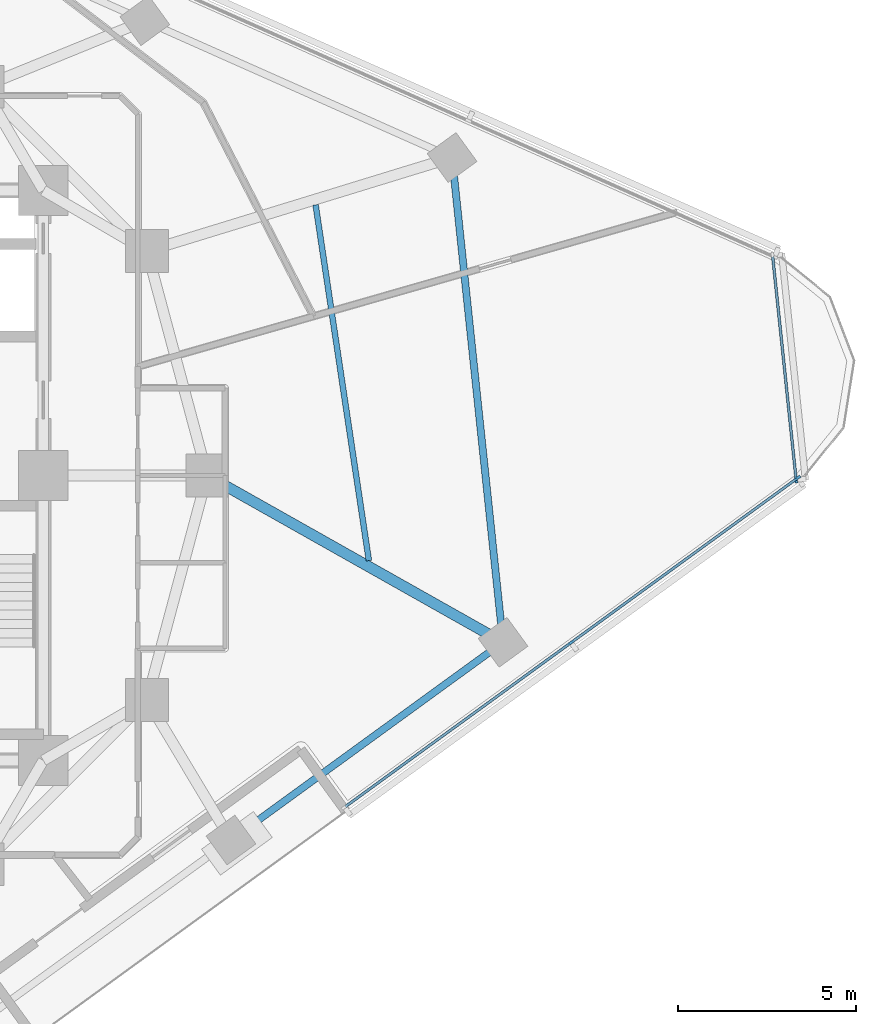
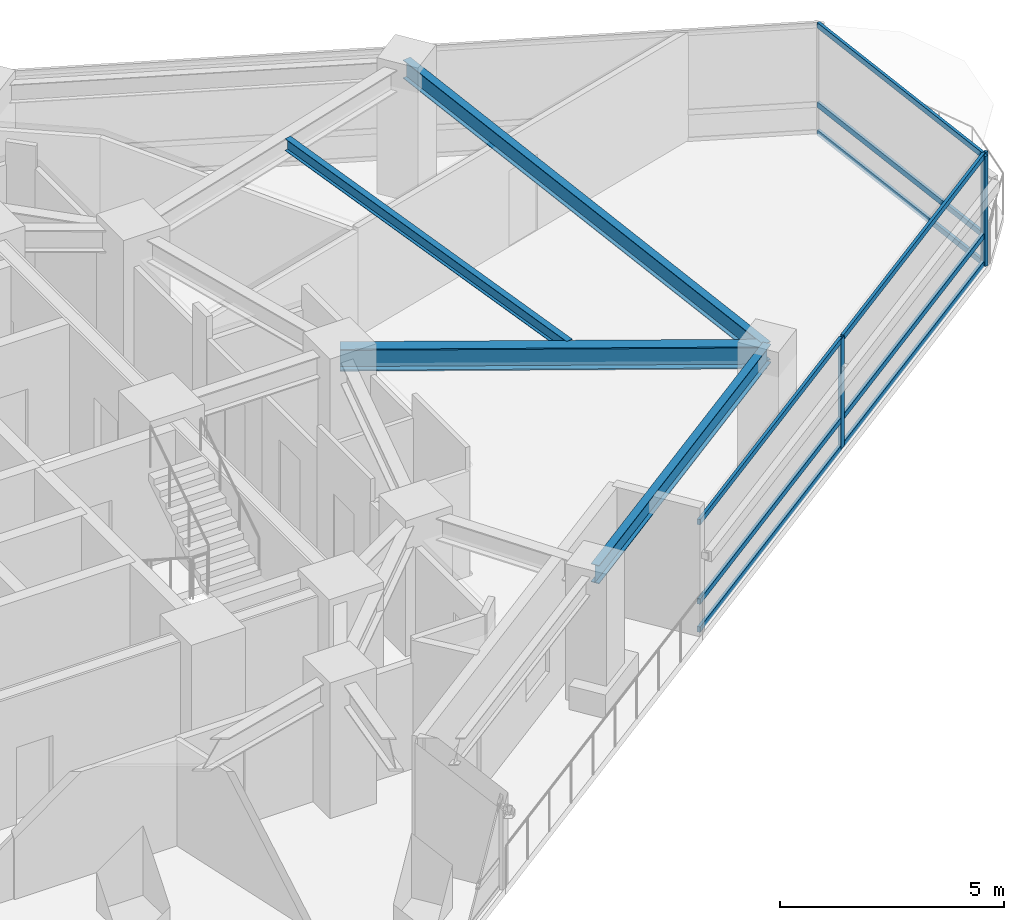
# One storey, part 4 of 14: 12 members, 4 beams, 2 elements without a shape of their own.
"""IFC4 building model written with IfcOpenShell, lengths in metres."""

from ifc_helpers import new_model, si_unit, direction, frame, origin, origin_2d, place, context, subcontext, project, spatial, rectangle, i_section, extrude, material, layer, layer_set, material_profile, profile_set, type_object, element, aggregate, save


model = new_model("IFC4")

# Units and contexts
model_context = context("Model", 3, precision=1e-05, world=origin(), true_north=direction((0.0, 1.0)))
body_context = subcontext(model_context, "Body", "Model", "MODEL_VIEW")
ifc_project = project(units=[si_unit("LENGTHUNIT", "METRE"), si_unit("AREAUNIT", "SQUARE_METRE"), si_unit("VOLUMEUNIT", "CUBIC_METRE"), si_unit("PLANEANGLEUNIT", "RADIAN"), si_unit("MASSUNIT", "GRAM", prefix="KILO")], contexts=[model_context])

# Site, building, storey
site_placement = place(None, origin())
site = spatial("IfcSite", under=ifc_project, at=site_placement, CompositionType="ELEMENT")
building_placement = place(site_placement, origin())
building = spatial("IfcBuilding", under=site, at=building_placement, Name="Terralouvre Media Tower", CompositionType="ELEMENT")
storey_placement = place(building_placement, frame((0.0, 0.0, 158.300048828125)))
storey = spatial("IfcBuildingStorey", under=building, at=storey_placement, Name="L40", CompositionType="ELEMENT", Elevation=158.300048828125)

# Beam
ifc_material_1 = material(Name="Structural steel S355J2", Category="steel")
ifc_material_profile_1 = material_profile(ifc_material_1, i_section(OverallWidth=0.159912109375, OverallDepth=0.330078125, WebThickness=0.007568359375, FlangeThickness=0.011474609375, at=origin_2d()), Name="IPE 330")
ifc_profile_set_1 = profile_set([ifc_material_profile_1], Name="Structural steel S355J2")
beam_type_1 = type_object("IfcBeamType", Name="Composite Floor Joist J-IPE330 (IPE 330)", PredefinedType="JOIST", material=ifc_profile_set_1)
beam_1_placement = place(storey_placement, frame((17.1396484375, -2.38916015625, 3.3349609375), z_axis=(-0.148174915539, 0.988961169311, 0.0), x_axis=(-0.988961169311, -0.148174915539, 0.0)))
element("IfcBeam", 1, at=beam_1_placement, inside=storey, type_object=beam_type_1, Name="L40 Framing Beam JT-L40-03", PredefinedType="JOIST", context=body_context, shape_type="SweptSolid", body=[
    extrude(i_section(OverallWidth=0.159912109375, OverallDepth=0.330078125, WebThickness=0.007568359375, FlangeThickness=0.011474609375, at=origin_2d()), origin(), (0.0, 0.0, 1.0), 10.096923828125),
])

# Curtain wall, members
ifc_material_2 = material(Name="Low-iron laminated double glazing with solar-control coating", Category="glass")
ifc_layer_1 = layer(ifc_material_2, 0.1650390625, Name="Production Studio Tower Curtain Wall CW-03")
ifc_layer_set_1 = layer_set([ifc_layer_1], Name="Low-iron laminated double glazing with solar-control coating")
curtain_wall_type_1 = type_object("IfcCurtainWallType", Name="Production Studio Tower Curtain Wall CW-03", PredefinedType="NOTDEFINED", material=ifc_layer_set_1)
curtain_wall_1_placement = place(storey_placement, origin())
curtain_wall_1 = element("IfcCurtainWall", 2, at=curtain_wall_1_placement, inside=storey, type_object=curtain_wall_type_1, Name="L40 Right Flank Curtain Wall F0", PredefinedType="NOTDEFINED")
ifc_material_3 = material(Name="Anodised extruded aluminium 6063-T6", Category="aluminium")
ifc_material_profile_2 = material_profile(ifc_material_3, rectangle(XDim=0.074951171875, YDim=0.14990234375, at=origin_2d()), Name="ALU 75x150")
ifc_profile_set_2 = profile_set([ifc_material_profile_2], Name="Anodised extruded aluminium 6063-T6")
member_type_1 = type_object("IfcMemberType", Name="Curtain-Wall Horizontal Transom TR-150", PredefinedType="USERDEFINED", material=ifc_profile_set_2)
member_1_placement = place(storey_placement, frame((16.484130859375, -9.290771484375, 0.037353515625), z_axis=(0.809019327112, 0.587782041542, 0.0), x_axis=(-0.587782041542, 0.809019327112, 0.0)))
member_1 = element("IfcMember", 3, at=member_1_placement, type_object=member_type_1, Name="CW-03 transom 1.1", ObjectType="TRANSOM", PredefinedType="USERDEFINED", context=body_context, shape_type="SweptSolid", body=[
    extrude(rectangle(XDim=0.074951171875, YDim=0.14990234375, at=origin_2d()), origin(), (0.0, 0.0, 1.0), 7.78759765625),
])
member_2_placement = place(storey_placement, frame((16.484130859375, -9.290771484375, 0.800048828125), z_axis=(0.809019327112, 0.587782041542, 0.0), x_axis=(-0.587782041542, 0.809019327112, 0.0)))
member_2 = element("IfcMember", 4, at=member_2_placement, type_object=member_type_1, Name="CW-03 transom 1.2", ObjectType="TRANSOM", PredefinedType="USERDEFINED", context=body_context, shape_type="SweptSolid", body=[
    extrude(rectangle(XDim=0.074951171875, YDim=0.14990234375, at=origin_2d()), origin(), (0.0, 0.0, 1.0), 7.78759765625),
])
member_3_placement = place(storey_placement, frame((16.484130859375, -9.290771484375, 2.96240234375), z_axis=(0.809019327112, 0.587782041542, 0.0), x_axis=(-0.587782041542, 0.809019327112, 0.0)))
member_3 = element("IfcMember", 5, at=member_3_placement, type_object=member_type_1, Name="CW-03 transom 1.3", ObjectType="TRANSOM", PredefinedType="USERDEFINED", context=body_context, shape_type="SweptSolid", body=[
    extrude(rectangle(XDim=0.074951171875, YDim=0.14990234375, at=origin_2d()), origin(), (0.0, 0.0, 1.0), 7.78759765625),
])
member_4_placement = place(storey_placement, frame((22.844970703125, -4.669189453125, 0.037353515625), z_axis=(0.809019327112, 0.587782041542, 0.0), x_axis=(-0.587782041542, 0.809019327112, 0.0)))
member_4 = element("IfcMember", 6, at=member_4_placement, type_object=member_type_1, Name="CW-03 transom 2.1", ObjectType="TRANSOM", PredefinedType="USERDEFINED", context=body_context, shape_type="SweptSolid", body=[
    extrude(rectangle(XDim=0.074951171875, YDim=0.14990234375, at=origin_2d()), origin(), (0.0, 0.0, 1.0), 7.78759765625),
])
member_5_placement = place(storey_placement, frame((22.844970703125, -4.669189453125, 0.800048828125), z_axis=(0.809019327112, 0.587782041542, 0.0), x_axis=(-0.587782041542, 0.809019327112, 0.0)))
member_5 = element("IfcMember", 7, at=member_5_placement, type_object=member_type_1, Name="CW-03 transom 2.2", ObjectType="TRANSOM", PredefinedType="USERDEFINED", context=body_context, shape_type="SweptSolid", body=[
    extrude(rectangle(XDim=0.074951171875, YDim=0.14990234375, at=origin_2d()), origin(), (0.0, 0.0, 1.0), 7.78759765625),
])
member_6_placement = place(storey_placement, frame((22.844970703125, -4.669189453125, 2.96240234375), z_axis=(0.809019327112, 0.587782041542, 0.0), x_axis=(-0.587782041542, 0.809019327112, 0.0)))
member_6 = element("IfcMember", 8, at=member_6_placement, type_object=member_type_1, Name="CW-03 transom 2.3", ObjectType="TRANSOM", PredefinedType="USERDEFINED", context=body_context, shape_type="SweptSolid", body=[
    extrude(rectangle(XDim=0.074951171875, YDim=0.14990234375, at=origin_2d()), origin(), (0.0, 0.0, 1.0), 7.78759765625),
])

ifc_material_4 = material(Name="Low-iron laminated double glazing with solar-control coating", Category="glass")
ifc_layer_2 = layer(ifc_material_4, 0.1650390625, Name="Rounded Wind-Corner Curved Glazing CW-04")
ifc_layer_set_2 = layer_set([ifc_layer_2], Name="Low-iron laminated double glazing with solar-control coating")
curtain_wall_type_2 = type_object("IfcCurtainWallType", Name="Rounded Wind-Corner Curved Glazing CW-04", PredefinedType="NOTDEFINED", material=ifc_layer_set_2)
curtain_wall_2_placement = place(storey_placement, origin())
curtain_wall_2 = element("IfcCurtainWall", 9, at=curtain_wall_2_placement, inside=storey, type_object=curtain_wall_type_2, Name="L40 Rounded Wind-Corner Curtain Wall C1", PredefinedType="NOTDEFINED")
member_7_placement = place(storey_placement, frame((29.12939453125, -0.0849609375, 0.037353515625), z_axis=(-0.104542643073, 0.994520404908, 0.0), x_axis=(-0.994520404908, -0.104542643073, 0.0)))
member_7 = element("IfcMember", 10, at=member_7_placement, type_object=member_type_1, Name="CW-04 transom 1.1", ObjectType="TRANSOM", PredefinedType="USERDEFINED", context=body_context, shape_type="SweptSolid", body=[
    extrude(rectangle(XDim=0.074951171875, YDim=0.14990234375, at=origin_2d()), origin(), (0.0, 0.0, 1.0), 6.258544921875),
])
member_8_placement = place(storey_placement, frame((29.12939453125, -0.0849609375, 0.800048828125), z_axis=(-0.104542643073, 0.994520404908, 0.0), x_axis=(-0.994520404908, -0.104542643073, 0.0)))
member_8 = element("IfcMember", 11, at=member_8_placement, type_object=member_type_1, Name="CW-04 transom 1.2", ObjectType="TRANSOM", PredefinedType="USERDEFINED", context=body_context, shape_type="SweptSolid", body=[
    extrude(rectangle(XDim=0.074951171875, YDim=0.14990234375, at=origin_2d()), origin(), (0.0, 0.0, 1.0), 6.258544921875),
])
member_9_placement = place(storey_placement, frame((29.12939453125, -0.0849609375, 2.96240234375), z_axis=(-0.104542643073, 0.994520404908, 0.0), x_axis=(-0.994520404908, -0.104542643073, 0.0)))
member_9 = element("IfcMember", 12, at=member_9_placement, type_object=member_type_1, Name="CW-04 transom 1.3", ObjectType="TRANSOM", PredefinedType="USERDEFINED", context=body_context, shape_type="SweptSolid", body=[
    extrude(rectangle(XDim=0.074951171875, YDim=0.14990234375, at=origin_2d()), origin(), (0.0, 0.0, 1.0), 6.258544921875),
])

# Member
ifc_material_5 = material(Name="Anodised extruded aluminium 6063-T6", Category="aluminium")
ifc_material_profile_3 = material_profile(ifc_material_5, rectangle(XDim=0.074951171875, YDim=0.179931640625, at=origin_2d()), Name="ALU 75x180")
ifc_profile_set_3 = profile_set([ifc_material_profile_3], Name="Anodised extruded aluminium 6063-T6")
member_type_2 = type_object("IfcMemberType", Name="Curtain-Wall Vertical Mullion ML-180", PredefinedType="MULLION", material=ifc_profile_set_3)
member_10_placement = place(storey_placement, frame((22.814697265625, -4.69140625, 0.0), z_axis=(0.0, 0.0, 1.0), x_axis=(-0.587785746577, 0.809016635256, 0.0)))
member_10 = element("IfcMember", 13, at=member_10_placement, type_object=member_type_2, Name="CW-03 mullion 2", PredefinedType="MULLION", context=body_context, shape_type="SweptSolid", body=[
    extrude(rectangle(XDim=0.074951171875, YDim=0.179931640625, at=origin_2d()), origin(), (0.0, 0.0, 1.0), 3.0),
])

member_11_placement = place(storey_placement, frame((29.175537109375, -0.06982421875, 0.0), z_axis=(0.0, 0.0, 1.0), x_axis=(-0.587785746577, 0.809016635256, 0.0)))
member_11 = element("IfcMember", 14, at=member_11_placement, type_object=member_type_2, Name="CW-03 mullion 3", PredefinedType="MULLION", context=body_context, shape_type="SweptSolid", body=[
    extrude(rectangle(XDim=0.074951171875, YDim=0.179931640625, at=origin_2d()), origin(), (0.0, 0.0, 1.0), 3.0),
])

aggregate(curtain_wall_1, [member_10, member_11, member_1, member_2, member_3, member_4, member_5, member_6])

member_12_placement = place(storey_placement, frame((29.13330078125, -0.122314453125, 0.0), z_axis=(0.0, 0.0, 1.0), x_axis=(-0.994521891172, -0.10452850319, 0.0)))
member_12 = element("IfcMember", 15, at=member_12_placement, type_object=member_type_2, Name="CW-04 mullion 1", PredefinedType="MULLION", context=body_context, shape_type="SweptSolid", body=[
    extrude(rectangle(XDim=0.074951171875, YDim=0.179931640625, at=origin_2d()), origin(), (0.0, 0.0, 1.0), 3.0),
])

aggregate(curtain_wall_2, [member_12, member_7, member_8, member_9])

# Beams
ifc_material_6 = material(Name="Structural steel S355J2", Category="steel")
ifc_material_profile_4 = material_profile(ifc_material_6, i_section(OverallWidth=0.199951171875, OverallDepth=0.5, WebThickness=0.01025390625, FlangeThickness=0.01611328125, at=origin_2d()), Name="IPE 500")
ifc_profile_set_4 = profile_set([ifc_material_profile_4], Name="Structural steel S355J2")
beam_type_2 = type_object("IfcBeamType", Name="Perimeter Spandrel Beam SPB-500 (IPE 500)", PredefinedType="SPANDREL", material=ifc_profile_set_4)
beam_2_placement = place(storey_placement, frame((13.267578125, -10.23095703125, 3.25), z_axis=(0.809016709277, 0.587785644696, 0.0), x_axis=(-0.587785644696, 0.809016709277, 0.0)))
element("IfcBeam", 16, at=beam_2_placement, inside=storey, type_object=beam_type_2, Name="L40 Framing Beam BM-L40-PR05", PredefinedType="SPANDREL", context=body_context, shape_type="SweptSolid", body=[
    extrude(i_section(OverallWidth=0.199951171875, OverallDepth=0.5, WebThickness=0.01025390625, FlangeThickness=0.01611328125, at=origin_2d()), origin(), (0.0, 0.0, 1.0), 9.439697265625),
])
beam_3_placement = place(storey_placement, frame((20.904541015625, -4.682373046875, 3.25), z_axis=(-0.104517607269, 0.99452303632, 0.0), x_axis=(-0.99452303632, -0.104517607269, 0.0)))
element("IfcBeam", 17, at=beam_3_placement, inside=storey, type_object=beam_type_2, Name="L40 Framing Beam BM-L40-PR06", PredefinedType="SPANDREL", context=body_context, shape_type="SweptSolid", body=[
    extrude(i_section(OverallWidth=0.199951171875, OverallDepth=0.5, WebThickness=0.01025390625, FlangeThickness=0.01611328125, at=origin_2d()), origin(), (0.0, 0.0, 1.0), 13.68359375),
])
ifc_material_7 = material(Name="Structural steel S460M", Category="steel")
ifc_material_profile_5 = material_profile(ifc_material_7, i_section(OverallWidth=0.300048828125, OverallDepth=0.60009765625, WebThickness=0.015380859375, FlangeThickness=0.030029296875, at=origin_2d()), Name="HEB 600")
ifc_profile_set_5 = profile_set([ifc_material_profile_5], Name="Structural steel S460M")
beam_type_3 = type_object("IfcBeamType", Name="Primary Floor Girder B-HEB600 (HEB 600)", PredefinedType="BEAM", material=ifc_profile_set_5)
beam_4_placement = place(storey_placement, frame((12.60009765625, 0.0, 3.199951171875), z_axis=(0.871076516642, -0.491147332432, 0.0), x_axis=(0.491147332432, 0.871076516642, 0.0)))
element("IfcBeam", 18, at=beam_4_placement, inside=storey, type_object=beam_type_3, Name="L40 Framing Beam BM-L40-RD06", PredefinedType="BEAM", context=body_context, shape_type="SweptSolid", body=[
    extrude(i_section(OverallWidth=0.300048828125, OverallDepth=0.60009765625, WebThickness=0.015380859375, FlangeThickness=0.030029296875, at=origin_2d()), origin(), (0.0, 0.0, 1.0), 9.533447265625),
])

save(model, "model.ifc")
